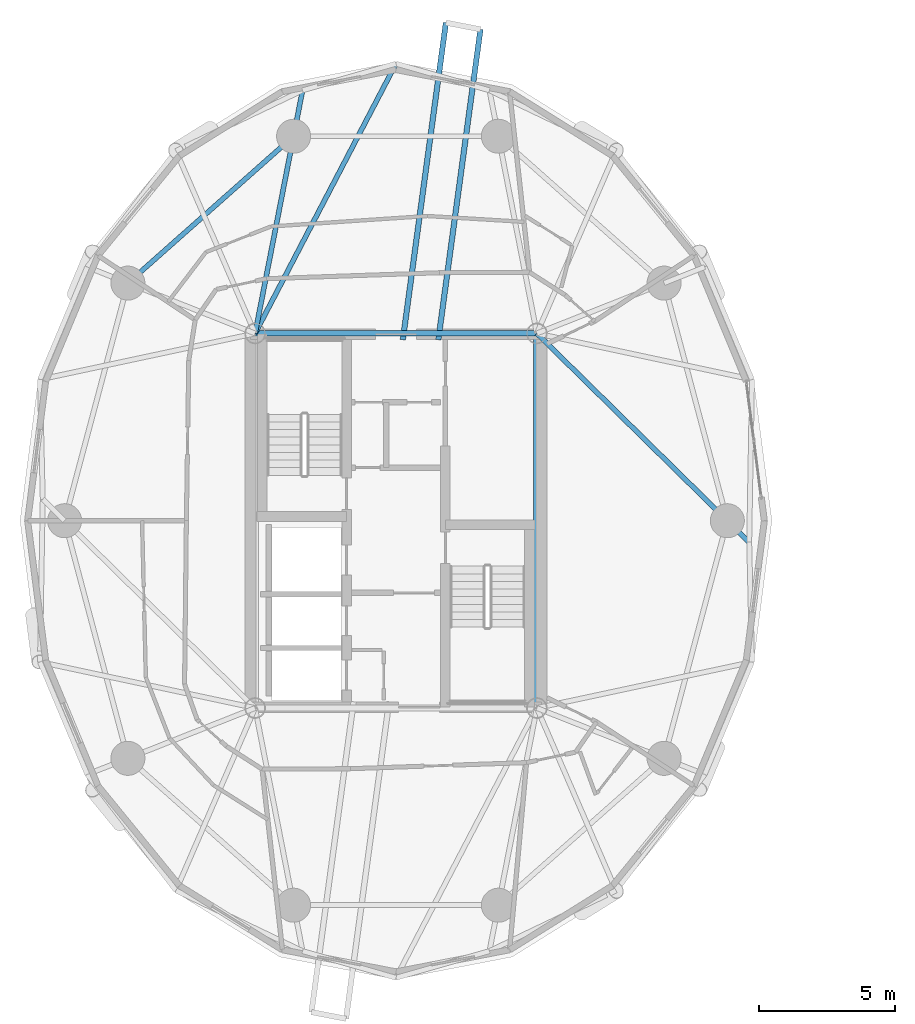
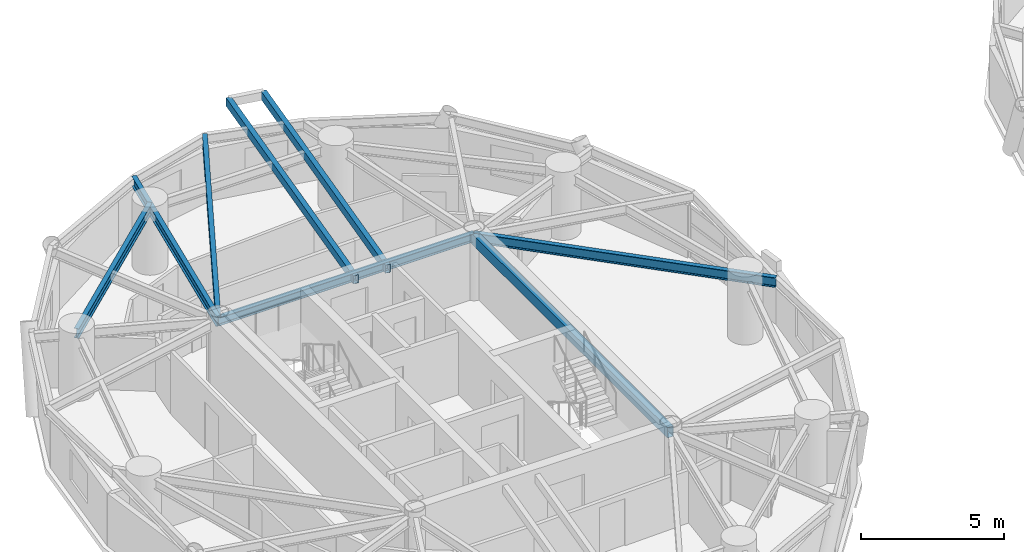
# One storey, part 2 of 17: 8 beams.
"""IFC4 building model written with IfcOpenShell, lengths in metres."""

from ifc_helpers import new_model, si_unit, direction, frame, origin, origin_2d, place, context, subcontext, project, spatial, hollow_rectangle, i_section, extrude, material, material_profile, profile_set, type_object, element, save


model = new_model("IFC4")

# Units and contexts
model_context = context("Model", 3, precision=1e-05, world=origin(), true_north=direction((0.0, 1.0)))
body_context = subcontext(model_context, "Body", "Model", "MODEL_VIEW")
ifc_project = project(units=[si_unit("LENGTHUNIT", "METRE"), si_unit("AREAUNIT", "SQUARE_METRE"), si_unit("VOLUMEUNIT", "CUBIC_METRE"), si_unit("PLANEANGLEUNIT", "RADIAN"), si_unit("MASSUNIT", "GRAM", prefix="KILO")], contexts=[model_context])

# Site, building, storey
site_placement = place(None, origin())
site = spatial("IfcSite", under=ifc_project, at=site_placement, CompositionType="ELEMENT")
building_placement = place(site_placement, origin())
building = spatial("IfcBuilding", under=site, at=building_placement, Name="Cununo Teusaquillo Station Towers", CompositionType="ELEMENT")
storey_placement = place(building_placement, frame((0.0, 0.0, 174.8798828125)))
storey = spatial("IfcBuildingStorey", under=building, at=storey_placement, Name="L55", CompositionType="ELEMENT", Elevation=174.8798828125)

# Beams
ifc_material_1 = material(Name="Steel EN 10025-2 S355J2", Category="steel")
ifc_material_profile_1 = material_profile(ifc_material_1, hollow_rectangle(XDim=0.199951171875, YDim=0.35009765625, WallThickness=0.013916015625, at=origin_2d()), Name="RHS 350x200x14")
ifc_profile_set_1 = profile_set([ifc_material_profile_1], Name="Steel EN 10025-2 S355J2")
beam_type_1 = type_object("IfcBeamType", Name="BM-BAL-CANT", PredefinedType="BEAM", material=ifc_profile_set_1)
beam_1_placement = place(storey_placement, frame((18.05517578125, 31.14990234375, 2.51513671875), z_axis=(0.134626438315, 0.990896423501, 0.0), x_axis=(-0.990896423501, 0.134626438315, 0.0)))
element("IfcBeam", 1, at=beam_1_placement, inside=storey, type_object=beam_type_1, Name="L55 Tower A Balcony Cantilever Bracket 1A", PredefinedType="BEAM", context=body_context, shape_type="SweptSolid", body=[
    extrude(hollow_rectangle(XDim=0.199951171875, YDim=0.35009765625, WallThickness=0.013916015625, at=origin_2d()), origin(), (0.0, 0.0, 1.0), 11.504638671875),
])
beam_2_placement = place(storey_placement, frame((16.751953125, 31.14990234375, 2.51513671875), z_axis=(0.134615370715, 0.990897927118, 0.0), x_axis=(-0.990897927118, 0.134615370715, 0.0)))
element("IfcBeam", 2, at=beam_2_placement, inside=storey, type_object=beam_type_1, Name="L55 Tower A Balcony Cantilever Bracket 1B", PredefinedType="BEAM", context=body_context, shape_type="SweptSolid", body=[
    extrude(hollow_rectangle(XDim=0.199951171875, YDim=0.35009765625, WallThickness=0.013916015625, at=origin_2d()), origin(), (0.0, 0.0, 1.0), 11.752197265625),
])
ifc_material_2 = material(Name="Steel EN 10025-2 S355J2", Category="steel")
ifc_material_profile_2 = material_profile(ifc_material_2, hollow_rectangle(XDim=0.25, YDim=0.449951171875, WallThickness=0.01611328125, at=origin_2d()), Name="RHS 450x250x16")
ifc_profile_set_2 = profile_set([ifc_material_profile_2], Name="Steel EN 10025-2 S355J2")
beam_type_2 = type_object("IfcBeamType", Name="BM-COUP-1", PredefinedType="USERDEFINED", material=ifc_profile_set_2)
beam_3_placement = place(storey_placement, frame((21.675048828125, 17.6201171875, 2.465087890625), z_axis=(0.0, 1.0, 0.0), x_axis=(-1.0, 0.0, 0.0)))
element("IfcBeam", 3, at=beam_3_placement, inside=storey, type_object=beam_type_2, Name="L55 Tower A Core Beam 2", ObjectType="COUPLING BEAM", PredefinedType="USERDEFINED", context=body_context, shape_type="SweptSolid", body=[
    extrude(hollow_rectangle(XDim=0.25, YDim=0.449951171875, WallThickness=0.01611328125, at=origin_2d()), origin(), (0.0, 0.0, 1.0), 13.759765625),
])
ifc_material_3 = material(Name="Steel ASTM A572 Grade 50", Category="steel")
ifc_material_profile_3 = material_profile(ifc_material_3, i_section(OverallWidth=0.180908203125, OverallDepth=0.4169921875, WebThickness=0.010986328125, FlangeThickness=0.018310546875, FilletRadius=0.012939453125, at=origin_2d()), Name="W16X57")
ifc_profile_set_3 = profile_set([ifc_material_profile_3], Name="Steel ASTM A572 Grade 50")
beam_type_3 = type_object("IfcBeamType", Name="BM-JOIST-1", PredefinedType="JOIST", material=ifc_profile_set_3)
beam_4_placement = place(storey_placement, frame((11.324951171875, 31.3798828125, 2.481689453125), z_axis=(0.462884645231, 0.886418527113, 0.0), x_axis=(-0.886418527113, 0.462884645231, 0.0)))
element("IfcBeam", 4, at=beam_4_placement, inside=storey, type_object=beam_type_3, Name="L55 Tower A Radial Spandrel Joist V05", PredefinedType="JOIST", context=body_context, shape_type="SweptSolid", body=[
    extrude(i_section(OverallWidth=0.180908203125, OverallDepth=0.4169921875, WebThickness=0.010986328125, FlangeThickness=0.018310546875, FilletRadius=0.012939453125, at=origin_2d()), origin(), (0.0, 0.0, 1.0), 11.179931640625),
])
ifc_material_4 = material(Name="Steel ASTM A572 Grade 50", Category="steel")
ifc_material_profile_4 = material_profile(ifc_material_4, i_section(OverallWidth=0.2041015625, OverallDepth=0.35009765625, WebThickness=0.008544921875, FlangeThickness=0.01513671875, FilletRadius=0.011962890625, at=origin_2d()), Name="W14X48")
ifc_profile_set_4 = profile_set([ifc_material_profile_4], Name="Steel ASTM A572 Grade 50")
beam_type_4 = type_object("IfcBeamType", Name="BM-LINTEL-1", PredefinedType="LINTEL", material=ifc_profile_set_4)
beam_5_placement = place(storey_placement, frame((11.324951171875, 31.3798828125, 2.51513671875), z_axis=(1.0, 0.0, 0.0), x_axis=(0.0, 1.0, 0.0)))
element("IfcBeam", 5, at=beam_5_placement, inside=storey, type_object=beam_type_4, Name="L55 Tower A Core Beam 4", PredefinedType="LINTEL", context=body_context, shape_type="SweptSolid", body=[
    extrude(i_section(OverallWidth=0.2041015625, OverallDepth=0.35009765625, WebThickness=0.008544921875, FlangeThickness=0.01513671875, FilletRadius=0.011962890625, at=origin_2d()), origin(), (0.0, 0.0, 1.0), 10.35009765625),
])
ifc_material_5 = material(Name="Steel ASTM A572 Grade 50", Category="steel")
ifc_material_profile_5 = material_profile(ifc_material_5, i_section(OverallWidth=0.180908203125, OverallDepth=0.4169921875, WebThickness=0.010986328125, FlangeThickness=0.018310546875, FilletRadius=0.012939453125, at=origin_2d()), Name="W16X57")
ifc_profile_set_5 = profile_set([ifc_material_profile_5], Name="Steel ASTM A572 Grade 50")
beam_type_5 = type_object("IfcBeamType", Name="BM-RAD-G2", PredefinedType="BEAM", material=ifc_profile_set_5)
beam_6_placement = place(storey_placement, frame((21.675048828125, 31.3798828125, 2.481689453125), z_axis=(0.713051946152, -0.701111205223, 0.0), x_axis=(0.701111205223, 0.713051946152, 0.0)))
element("IfcBeam", 6, at=beam_6_placement, inside=storey, type_object=beam_type_5, Name="L55 Tower A Continuous Overhanging Radial Girder 01", PredefinedType="BEAM", context=body_context, shape_type="SweptSolid", body=[
    extrude(i_section(OverallWidth=0.180908203125, OverallDepth=0.4169921875, WebThickness=0.010986328125, FlangeThickness=0.018310546875, FilletRadius=0.012939453125, at=origin_2d()), origin(), (0.0, 0.0, 1.0), 10.938720703125),
])
beam_7_placement = place(storey_placement, frame((11.324951171875, 31.3798828125, 2.481689453125), z_axis=(0.191557018874, 0.981481486591, 0.0), x_axis=(-0.981481486591, 0.191557018874, 0.0)))
element("IfcBeam", 7, at=beam_7_placement, inside=storey, type_object=beam_type_5, Name="L55 Tower A Continuous Overhanging Radial Girder 04", PredefinedType="BEAM", context=body_context, shape_type="SweptSolid", body=[
    extrude(i_section(OverallWidth=0.180908203125, OverallDepth=0.4169921875, WebThickness=0.010986328125, FlangeThickness=0.018310546875, FilletRadius=0.012939453125, at=origin_2d()), origin(), (0.0, 0.0, 1.0), 9.097412109375),
])
ifc_material_6 = material(Name="Steel ASTM A572 Grade 50", Category="steel")
ifc_material_profile_6 = material_profile(ifc_material_6, i_section(OverallWidth=0.180908203125, OverallDepth=0.4169921875, WebThickness=0.010986328125, FlangeThickness=0.018310546875, FilletRadius=0.012939453125, at=origin_2d()), Name="W16X57")
ifc_profile_set_6 = profile_set([ifc_material_profile_6], Name="Steel ASTM A572 Grade 50")
beam_type_6 = type_object("IfcBeamType", Name="BM-RING-Z3", PredefinedType="SPANDREL", material=ifc_profile_set_6)
beam_8_placement = place(storey_placement, frame((12.738525390625, 38.623291015625, 2.481689453125), z_axis=(-0.74832120039, -0.66333655187, 0.0), x_axis=(0.66333655187, -0.74832120039, 0.0)))
element("IfcBeam", 8, at=beam_8_placement, inside=storey, type_object=beam_type_6, Name="L55 Tower A Structural Column Ring Girder 04", PredefinedType="SPANDREL", context=body_context, shape_type="SweptSolid", body=[
    extrude(i_section(OverallWidth=0.180908203125, OverallDepth=0.4169921875, WebThickness=0.010986328125, FlangeThickness=0.018310546875, FilletRadius=0.012939453125, at=origin_2d()), origin(), (0.0, 0.0, 1.0), 8.1328125),
])

save(model, "model.ifc")
